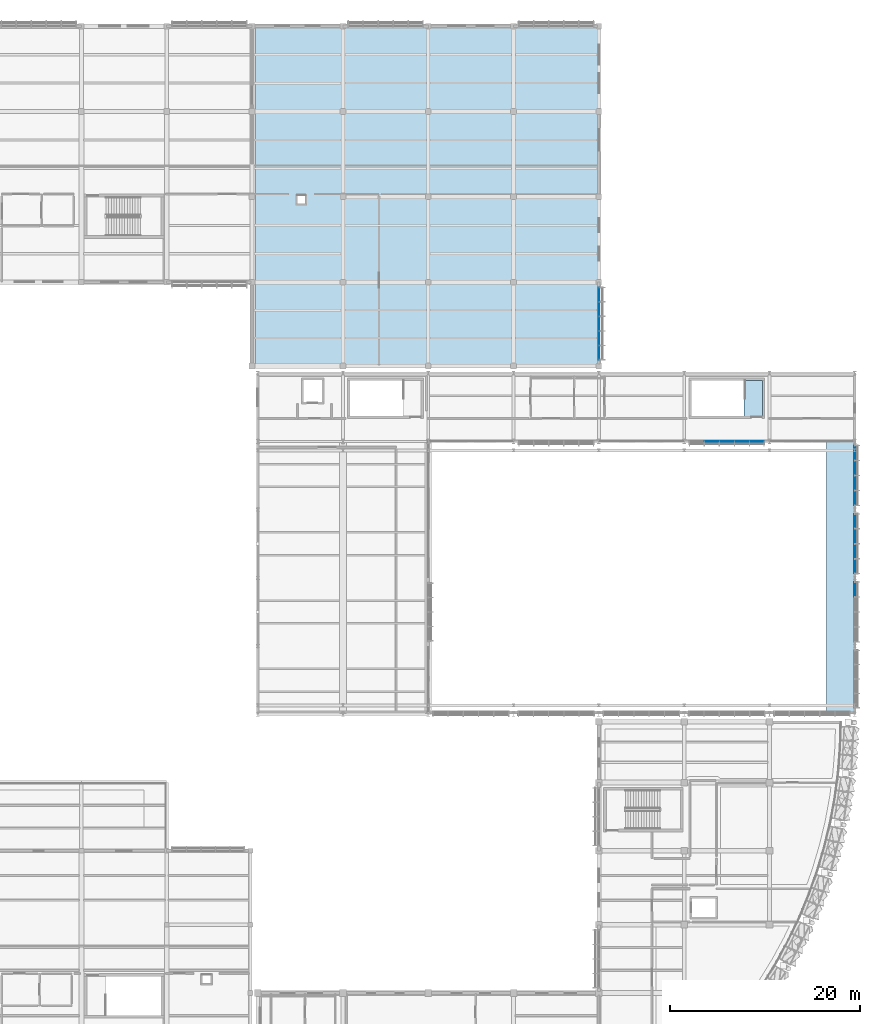
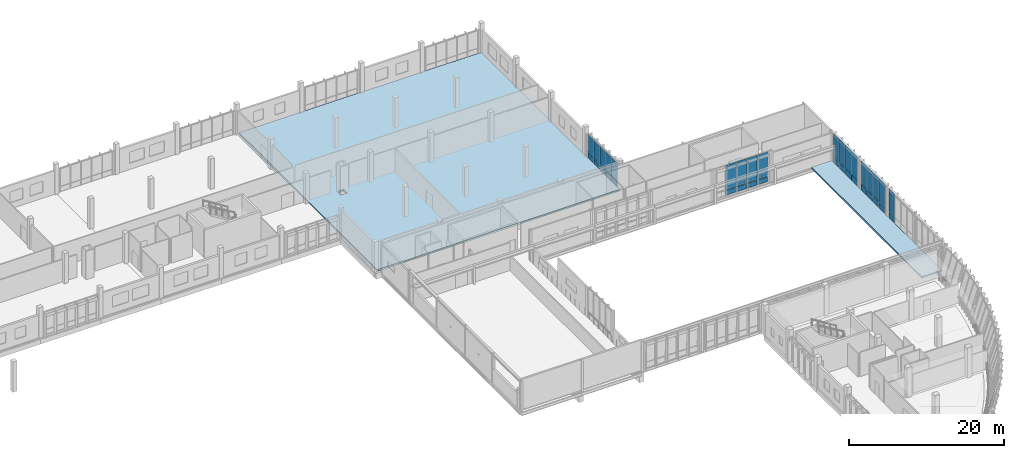
# One storey, part 142 of 177: 36 plates, 3 slabs, 5 elements without a shape of their own.
"""IFC4 building model written with IfcOpenShell, lengths in metres."""

import ifcopenshell
import ifcopenshell.guid

model = None  # the IFC model being written
_history = None  # IfcOwnerHistory: only IFC2X3 demands one
_inside = {}  # id of a spatial element -> (the spatial element, [elements in it])
_under = {}  # id of a project, library or spatial element -> (it, [spatial elements below it])
_declared = {}  # id of a project -> (the project, [libraries it declares])
_typed = {}  # id of a type object -> (the type object, [elements of that type])
_made_of = {}  # id of a material, layer set ... -> (it, [elements and type objects made of it])


def new_model(schema):
    """Start an empty IFC model of exactly this schema.

    Asked for "IFC4X3", IfcOpenShell would pick the latest addendum, in which some entities
    have other attributes; the version numbers below select the first issue.
    IFC2X3 requires an IfcOwnerHistory on every rooted entity: one is made here for all.
    """
    global model, _history
    if schema == "IFC4X3":
        model = ifcopenshell.file(schema_version=(4, 3, 0, 0))
    else:
        model = ifcopenshell.file(schema=schema)
    _inside.clear()
    _under.clear()
    _declared.clear()
    _typed.clear()
    _made_of.clear()
    _history = None
    if model.schema == "IFC2X3":
        org = make("IfcOrganization", Name="unknown")
        user = make(
            "IfcPersonAndOrganization",
            ThePerson=make("IfcPerson", FamilyName="unknown"),
            TheOrganization=org,
        )
        app = make(
            "IfcApplication",
            ApplicationDeveloper=org,
            Version="unknown",
            ApplicationFullName="unknown",
            ApplicationIdentifier="unknown",
        )
        _history = make(
            "IfcOwnerHistory",
            OwningUser=user,
            OwningApplication=app,
            ChangeAction="ADDED",
            CreationDate=0,
        )
    return model


def make(cls, **values):
    """One entity of the class cls with the attributes given. An attribute that is None is left unset."""
    return model.create_entity(
        cls, **{name: value for name, value in values.items() if value is not None}
    )


def rooted(cls, **values):
    """An entity with a GlobalId (a new one), such as an element, a storey or a relation."""
    return make(cls, GlobalId=ifcopenshell.guid.new(), OwnerHistory=_history, **values)


def si_unit(unit_type, name, prefix=None):
    """IfcSIUnit, for example si_unit("LENGTHUNIT", "METRE", prefix="MILLI")."""
    return make("IfcSIUnit", UnitType=unit_type, Prefix=prefix, Name=name)


def assignment(units):
    """IfcUnitAssignment: the units of a project."""
    return None if units is None else make("IfcUnitAssignment", Units=units)


def point(xyz):
    """IfcCartesianPoint."""
    return None if xyz is None else make("IfcCartesianPoint", Coordinates=xyz)


def direction(xyz):
    """IfcDirection."""
    return None if xyz is None else make("IfcDirection", DirectionRatios=xyz)


def frame(location, z_axis=None, x_axis=None):
    """IfcAxis2Placement3D, a coordinate frame: its origin and axes. An axis left out is left unset."""
    return make(
        "IfcAxis2Placement3D",
        Location=point(location),
        Axis=direction(z_axis),
        RefDirection=direction(x_axis),
    )


def frame_2d(location, x_axis=None):
    """IfcAxis2Placement2D, a coordinate frame in the plane: its origin and x axis."""
    return make(
        "IfcAxis2Placement2D", Location=point(location), RefDirection=direction(x_axis)
    )


def origin():
    """The frame at (0, 0, 0) with its axes left unset."""
    return frame((0.0, 0.0, 0.0))


def origin_2d():
    """The frame at (0, 0) in the plane with its x axis left unset."""
    return frame_2d((0.0, 0.0))


def place(relative_to, where):
    """IfcLocalPlacement: puts the frame where relative to a parent placement (None: the world)."""
    return make(
        "IfcLocalPlacement", PlacementRelTo=relative_to, RelativePlacement=where
    )


def context(
    kind, dimensions, precision=None, world=None, true_north=None, identifier=None
):
    """IfcGeometricRepresentationContext, for example the 3D "Model" context."""
    return make(
        "IfcGeometricRepresentationContext",
        ContextIdentifier=identifier,
        ContextType=kind,
        CoordinateSpaceDimension=dimensions,
        Precision=precision,
        WorldCoordinateSystem=world,
        TrueNorth=true_north,
    )


def subcontext(parent, identifier, kind, view, scale=None):
    """IfcGeometricRepresentationSubContext, for example "Body" below "Model"."""
    return make(
        "IfcGeometricRepresentationSubContext",
        ContextIdentifier=identifier,
        ContextType=kind,
        ParentContext=parent,
        TargetScale=scale,
        TargetView=view,
    )


def project(units=None, contexts=None):
    """IfcProject with its units and contexts."""
    return rooted(
        "IfcProject",
        Name="project",
        RepresentationContexts=contexts,
        UnitsInContext=assignment(units),
    )


def spatial(cls, under=None, at=None, **own):
    """A site, building, storey or space (cls), placed at a placement, below another one or the project."""
    s = rooted(cls, ObjectPlacement=at, **own)
    if under is not None:
        _under.setdefault(under.id(), (under, []))[1].append(s)
    return s


def polyline(points):
    """IfcPolyline through the points."""
    return make("IfcPolyline", Points=[point(p) for p in points])


def profile(cls, at=None, kind="AREA", **sizes):
    """A parametric profile (cls). Its sizes go by their IFC names, for example OverallWidth=200.0."""
    return make(cls, ProfileType=kind, Position=at, **sizes)


def rectangle(**sizes):
    """IfcRectangleProfileDef."""
    return profile("IfcRectangleProfileDef", **sizes)


def outline(outer, holes=None, kind="AREA"):
    """IfcArbitraryClosedProfileDef: a profile drawn as a closed curve; with holes, ...WithVoids."""
    if holes is None:
        return make("IfcArbitraryClosedProfileDef", ProfileType=kind, OuterCurve=outer)
    return make(
        "IfcArbitraryProfileDefWithVoids",
        ProfileType=kind,
        OuterCurve=outer,
        InnerCurves=holes,
    )


def extrude(swept, where, along, depth):
    """IfcExtrudedAreaSolid: the profile swept, set in the frame where, extruded along a direction by depth."""
    return make(
        "IfcExtrudedAreaSolid",
        SweptArea=swept,
        Position=where,
        ExtrudedDirection=direction(along),
        Depth=depth,
    )


def shape(context_of_items, identifier, shape_type, items):
    """IfcShapeRepresentation: the items that make up one representation, for example the "Body"."""
    return make(
        "IfcShapeRepresentation",
        ContextOfItems=context_of_items,
        RepresentationIdentifier=identifier,
        RepresentationType=shape_type,
        Items=items,
    )


def material(Name=None, Category=None):
    """IfcMaterial."""
    return make("IfcMaterial", Name=Name, Category=Category)


def layer(
    of_material, thickness, ventilated=None, Name=None, Category=None, Priority=None
):
    """IfcMaterialLayer: one layer of a wall or slab, of a material (None: an air gap)."""
    return make(
        "IfcMaterialLayer",
        Material=of_material,
        LayerThickness=thickness,
        IsVentilated=ventilated,
        Name=Name,
        Category=Category,
        Priority=Priority,
    )


def layer_set(layers, Name=None):
    """IfcMaterialLayerSet."""
    return make("IfcMaterialLayerSet", MaterialLayers=layers, LayerSetName=Name)


def made_of(thing, what):
    """Note that an element or type object is made of a material, layer set ...; save() writes the relation."""
    if what is not None:
        _made_of.setdefault(what.id(), (what, []))[1].append(thing)
    return thing


def type_object(cls, material=None, **own):
    """A type object (cls), such as IfcWallType, which elements share."""
    return made_of(rooted(cls, **own), material)


def element(
    cls,
    number,
    at=None,
    inside=None,
    cuts=None,
    type_object=None,
    material=None,
    context=None,
    identifier="Body",
    shape_type=None,
    held_by="IfcProductDefinitionShape",
    body=None,
    shapes=None,
    **own,
):
    """One element of the class cls, such as IfcWall. Its Tag is "e" and its number.

    at: its placement. inside: the storey or other place that contains it. cuts: it is an
    opening in that element (IfcRelVoidsElement). A single representation is given by context,
    identifier, shape_type and body (its items); several are given by shapes. held_by: the class
    of the entity that holds the representations. save() writes the other relations.
    """
    e = rooted(cls, Tag="e%d" % number, ObjectPlacement=at, **own)
    if body is not None:
        shapes = [shape(context, identifier, shape_type, body)]
    if shapes is not None:
        e.Representation = make(held_by, Representations=shapes)
    if inside is not None:
        _inside.setdefault(inside.id(), (inside, []))[1].append(e)
    if cuts is not None:
        rooted(
            "IfcRelVoidsElement", RelatingBuildingElement=cuts, RelatedOpeningElement=e
        )
    if type_object is not None:
        _typed.setdefault(type_object.id(), (type_object, []))[1].append(e)
    return made_of(e, material)


def aggregate(whole, parts):
    """IfcRelAggregates: a whole, such as a stair, and the parts it consists of."""
    return rooted("IfcRelAggregates", RelatingObject=whole, RelatedObjects=parts)


def save(model, path):
    """Write the relations noted so far, then the file.

    IfcRelAggregates (storeys below a building ...), IfcRelContainedInSpatialStructure (elements
    in a storey), IfcRelDefinesByType, IfcRelAssociatesMaterial and IfcRelDeclares: one each for
    every whole, place, type object, material and project.
    """
    for whole, parts in _under.values():
        aggregate(whole, parts)
    for where, things in _inside.values():
        rooted(
            "IfcRelContainedInSpatialStructure",
            RelatedElements=things,
            RelatingStructure=where,
        )
    for kind, things in _typed.values():
        rooted("IfcRelDefinesByType", RelatedObjects=things, RelatingType=kind)
    for what, things in _made_of.values():
        rooted("IfcRelAssociatesMaterial", RelatedObjects=things, RelatingMaterial=what)
    for by, libraries in _declared.values():
        rooted("IfcRelDeclares", RelatingContext=by, RelatedDefinitions=libraries)
    model.write(path)


model = new_model("IFC4")

# Units and contexts
model_context = context("Model", 3, precision=1e-05, world=origin(), true_north=direction((0.0, 1.0)))
body_context = subcontext(model_context, "Body", "Model", "MODEL_VIEW")
ifc_project = project(units=[si_unit("LENGTHUNIT", "METRE"), si_unit("AREAUNIT", "SQUARE_METRE"), si_unit("VOLUMEUNIT", "CUBIC_METRE"), si_unit("PLANEANGLEUNIT", "RADIAN"), si_unit("MASSUNIT", "GRAM", prefix="KILO")], contexts=[model_context])

# Site, building, storey
site_placement = place(None, origin())
site = spatial("IfcSite", under=ifc_project, at=site_placement, CompositionType="ELEMENT")
building_placement = place(site_placement, origin())
building = spatial("IfcBuilding", under=site, at=building_placement, Name="Chiffa Square Polytechnic", CompositionType="ELEMENT")
storey_placement = place(building_placement, frame((0.0, 0.0, 4.800048828125)))
storey = spatial("IfcBuildingStorey", under=building, at=storey_placement, Name="L01", CompositionType="ELEMENT", Elevation=4.800048828125)

# Curtain wall, plates
ifc_material_1 = material(Name="Aluminium EN AW-6060 T66 and glulam shading", Category="wood")
curtain_wall_type_1 = type_object("IfcCurtainWallType", Name="CW-VERT-360X380", PredefinedType="USERDEFINED", material=ifc_material_1)
curtain_wall_1_placement = place(storey_placement, origin())
curtain_wall_1 = element("IfcCurtainWall", 1, at=curtain_wall_1_placement, inside=storey, type_object=curtain_wall_type_1, Name="Curtain wall CW-V2-L01-149", ObjectType="CURTAIN WALL", PredefinedType="USERDEFINED")
ifc_material_2 = material(Name="Double glazing", Category="glass")
ifc_layer_1 = layer(ifc_material_2, 0.0458984375, Name="Double glazing")
ifc_layer_set_1 = layer_set([ifc_layer_1], Name="Double glazing")
plate_type_1 = type_object("IfcPlateType", Name="CWP-GLZ-128X106", PredefinedType="CURTAIN_PANEL", material=ifc_layer_set_1)
plate_1_placement = place(storey_placement, frame((160.115966796875, 87.0, 0.83984375), z_axis=(0.0, 0.0, 1.0), x_axis=(1.0, 0.0, 0.0)))
plate_1 = element("IfcPlate", 2, at=plate_1_placement, type_object=plate_type_1, Name="Glazed curtain panel CW-V2-L01-149-PN02", PredefinedType="CURTAIN_PANEL", context=body_context, shape_type="SweptSolid", body=[
    extrude(rectangle(XDim=1.531982421875, YDim=0.0458984375, at=origin_2d()), origin(), (0.0, 0.0, 1.0), 3.909912109375),
])
plate_2_placement = place(storey_placement, frame((161.699951171875, 87.0, 0.83984375), z_axis=(0.0, 0.0, 1.0), x_axis=(1.0, 0.0, 0.0)))
plate_2 = element("IfcPlate", 3, at=plate_2_placement, type_object=plate_type_1, Name="Glazed curtain panel CW-V2-L01-149-PN03", PredefinedType="CURTAIN_PANEL", context=body_context, shape_type="SweptSolid", body=[
    extrude(rectangle(XDim=1.531982421875, YDim=0.0458984375, at=origin_2d()), origin(), (0.0, 0.0, 1.0), 3.909912109375),
])
plate_3_placement = place(storey_placement, frame((163.283935546875, 87.0, 0.83984375), z_axis=(0.0, 0.0, 1.0), x_axis=(1.0, 0.0, 0.0)))
plate_3 = element("IfcPlate", 4, at=plate_3_placement, type_object=plate_type_1, Name="Glazed curtain panel CW-V2-L01-149-PN04", PredefinedType="CURTAIN_PANEL", context=body_context, shape_type="SweptSolid", body=[
    extrude(rectangle(XDim=1.531982421875, YDim=0.0458984375, at=origin_2d()), origin(), (0.0, 0.0, 1.0), 3.909912109375),
])
plate_4_placement = place(storey_placement, frame((164.85693359375, 87.0, 0.83984375), z_axis=(0.0, 0.0, 1.0), x_axis=(1.0, 0.0, 0.0)))
plate_4 = element("IfcPlate", 5, at=plate_4_placement, type_object=plate_type_1, Name="Glazed curtain panel CW-V2-L01-149-PN05", PredefinedType="CURTAIN_PANEL", context=body_context, shape_type="SweptSolid", body=[
    extrude(rectangle(XDim=1.510009765625, YDim=0.0458984375, at=origin_2d()), origin(), (0.0, 0.0, 1.0), 3.909912109375),
])

curtain_wall_type_2 = type_object("IfcCurtainWallType", Name="CW-VERT-450X380", PredefinedType="USERDEFINED", material=ifc_material_1)
curtain_wall_2_placement = place(storey_placement, origin())
curtain_wall_2 = element("IfcCurtainWall", 6, at=curtain_wall_2_placement, inside=storey, type_object=curtain_wall_type_2, Name="Curtain wall CW-V5-L01-202", ObjectType="CURTAIN WALL", PredefinedType="USERDEFINED")
ifc_layer_2 = layer(ifc_material_2, 0.0439453125, Name="Double glazing")
ifc_layer_set_2 = layer_set([ifc_layer_2], Name="Double glazing")
plate_type_2 = type_object("IfcPlateType", Name="CWP-GLZ-134X118", PredefinedType="CURTAIN_PANEL", material=ifc_layer_set_2)
plate_5_placement = place(storey_placement, frame((148.199951171875, 96.367919921875, 0.84033203125), z_axis=(0.0, 0.0, 1.0), x_axis=(0.0, 1.0, 0.0)))
plate_5 = element("IfcPlate", 7, at=plate_5_placement, type_object=plate_type_2, Name="Glazed curtain panel CW-V5-L01-202-PN01", PredefinedType="CURTAIN_PANEL", context=body_context, shape_type="SweptSolid", body=[
    extrude(rectangle(XDim=1.4599609375, YDim=0.0439453125, at=origin_2d()), origin(), (0.0, 0.0, 1.0), 2.925048828125),
])
plate_6_placement = place(storey_placement, frame((148.199951171875, 97.89111328125, 0.84033203125), z_axis=(0.0, 0.0, 1.0), x_axis=(0.0, 1.0, 0.0)))
plate_6 = element("IfcPlate", 8, at=plate_6_placement, type_object=plate_type_2, Name="Glazed curtain panel CW-V5-L01-202-PN02", PredefinedType="CURTAIN_PANEL", context=body_context, shape_type="SweptSolid", body=[
    extrude(rectangle(XDim=1.48193359375, YDim=0.0439453125, at=origin_2d()), origin(), (0.0, 0.0, 1.0), 2.925048828125),
])
plate_7_placement = place(storey_placement, frame((148.199951171875, 99.425048828125, 0.84033203125), z_axis=(0.0, 0.0, 1.0), x_axis=(0.0, 1.0, 0.0)))
plate_7 = element("IfcPlate", 9, at=plate_7_placement, type_object=plate_type_2, Name="Glazed curtain panel CW-V5-L01-202-PN03", PredefinedType="CURTAIN_PANEL", context=body_context, shape_type="SweptSolid", body=[
    extrude(rectangle(XDim=1.48193359375, YDim=0.0439453125, at=origin_2d()), origin(), (0.0, 0.0, 1.0), 2.925048828125),
])
plate_8_placement = place(storey_placement, frame((148.199951171875, 100.958984375, 0.84033203125), z_axis=(0.0, 0.0, 1.0), x_axis=(0.0, 1.0, 0.0)))
plate_8 = element("IfcPlate", 10, at=plate_8_placement, type_object=plate_type_2, Name="Glazed curtain panel CW-V5-L01-202-PN04", PredefinedType="CURTAIN_PANEL", context=body_context, shape_type="SweptSolid", body=[
    extrude(rectangle(XDim=1.48193359375, YDim=0.0439453125, at=origin_2d()), origin(), (0.0, 0.0, 1.0), 2.925048828125),
])
plate_9_placement = place(storey_placement, frame((148.199951171875, 102.48193359375, 0.84033203125), z_axis=(0.0, 0.0, 1.0), x_axis=(0.0, 1.0, 0.0)))
plate_9 = element("IfcPlate", 11, at=plate_9_placement, type_object=plate_type_2, Name="Glazed curtain panel CW-V5-L01-202-PN05", PredefinedType="CURTAIN_PANEL", context=body_context, shape_type="SweptSolid", body=[
    extrude(rectangle(XDim=1.4599609375, YDim=0.0439453125, at=origin_2d()), origin(), (0.0, 0.0, 1.0), 2.925048828125),
])

# Curtain wall, plate
curtain_wall_3_placement = place(storey_placement, origin())
curtain_wall_3 = element("IfcCurtainWall", 12, at=curtain_wall_3_placement, inside=storey, type_object=curtain_wall_type_2, Name="Curtain wall CW-V2-L01E-02", ObjectType="CURTAIN WALL", PredefinedType="USERDEFINED")
ifc_layer_3 = layer(ifc_material_2, 0.035888671875, Name="Double glazing")
ifc_layer_set_3 = layer_set([ifc_layer_3], Name="Double glazing")
plate_type_3 = type_object("IfcPlateType", Name="CWP-GLZ-150X145", PredefinedType="CURTAIN_PANEL", material=ifc_layer_set_3)
plate_10_placement = place(storey_placement, frame((175.199951171875, 71.3740234375, 0.9599609375), z_axis=(0.0, 0.0, 1.0), x_axis=(0.0, 1.0, 0.0)))
plate_10 = element("IfcPlate", 13, at=plate_10_placement, type_object=plate_type_3, Name="Glazed curtain panel CW-V2-L01E-02-PN04", PredefinedType="CURTAIN_PANEL", context=body_context, shape_type="SweptSolid", body=[
    extrude(rectangle(XDim=1.51611328125, YDim=0.035888671875, at=origin_2d()), origin(), (0.0, 0.0, 1.0), 3.7099609375),
])

# Curtain wall, plates
curtain_wall_type_3 = type_object("IfcCurtainWallType", Name="CW-VERT-300X380", PredefinedType="USERDEFINED", material=ifc_material_1)
curtain_wall_4_placement = place(storey_placement, origin())
curtain_wall_4 = element("IfcCurtainWall", 14, at=curtain_wall_4_placement, inside=storey, type_object=curtain_wall_type_3, Name="Curtain wall CW-V2-L01E-03", ObjectType="CURTAIN WALL", PredefinedType="USERDEFINED")
plate_11_placement = place(storey_placement, frame((175.199951171875, 73.825927734375, 0.9599609375), z_axis=(0.0, 0.0, 1.0), x_axis=(0.0, 1.0, 0.0)))
plate_11 = element("IfcPlate", 15, at=plate_11_placement, type_object=plate_type_3, Name="Glazed curtain panel CW-V2-L01E-03-PN01", PredefinedType="CURTAIN_PANEL", context=body_context, shape_type="SweptSolid", body=[
    extrude(rectangle(XDim=1.51611328125, YDim=0.035888671875, at=origin_2d()), origin(), (0.0, 0.0, 1.0), 3.7099609375),
])
plate_12_placement = place(storey_placement, frame((175.199951171875, 75.405029296875, 0.9599609375), z_axis=(0.0, 0.0, 1.0), x_axis=(0.0, 1.0, 0.0)))
plate_12 = element("IfcPlate", 16, at=plate_12_placement, type_object=plate_type_3, Name="Glazed curtain panel CW-V2-L01E-03-PN02", PredefinedType="CURTAIN_PANEL", context=body_context, shape_type="SweptSolid", body=[
    extrude(rectangle(XDim=1.5380859375, YDim=0.035888671875, at=origin_2d()), origin(), (0.0, 0.0, 1.0), 3.7099609375),
])
plate_13_placement = place(storey_placement, frame((175.199951171875, 76.9951171875, 0.9599609375), z_axis=(0.0, 0.0, 1.0), x_axis=(0.0, 1.0, 0.0)))
plate_13 = element("IfcPlate", 17, at=plate_13_placement, type_object=plate_type_3, Name="Glazed curtain panel CW-V2-L01E-03-PN03", PredefinedType="CURTAIN_PANEL", context=body_context, shape_type="SweptSolid", body=[
    extrude(rectangle(XDim=1.5380859375, YDim=0.035888671875, at=origin_2d()), origin(), (0.0, 0.0, 1.0), 3.7099609375),
])
plate_14_placement = place(storey_placement, frame((175.199951171875, 78.573974609375, 0.9599609375), z_axis=(0.0, 0.0, 1.0), x_axis=(0.0, 1.0, 0.0)))
plate_14 = element("IfcPlate", 18, at=plate_14_placement, type_object=plate_type_3, Name="Glazed curtain panel CW-V2-L01E-03-PN04", PredefinedType="CURTAIN_PANEL", context=body_context, shape_type="SweptSolid", body=[
    extrude(rectangle(XDim=1.51611328125, YDim=0.035888671875, at=origin_2d()), origin(), (0.0, 0.0, 1.0), 3.7099609375),
])

curtain_wall_type_4 = type_object("IfcCurtainWallType", Name="CW-VERT-600X380", PredefinedType="USERDEFINED", material=ifc_material_1)
curtain_wall_5_placement = place(storey_placement, origin())
curtain_wall_5 = element("IfcCurtainWall", 19, at=curtain_wall_5_placement, inside=storey, type_object=curtain_wall_type_4, Name="Curtain wall CW-V2-L01E-04", ObjectType="CURTAIN WALL", PredefinedType="USERDEFINED")
plate_15_placement = place(storey_placement, frame((175.199951171875, 81.02587890625, 0.9599609375), z_axis=(0.0, 0.0, 1.0), x_axis=(0.0, 1.0, 0.0)))
plate_15 = element("IfcPlate", 20, at=plate_15_placement, type_object=plate_type_3, Name="Glazed curtain panel CW-V2-L01E-04-PN01", PredefinedType="CURTAIN_PANEL", context=body_context, shape_type="SweptSolid", body=[
    extrude(rectangle(XDim=1.51611328125, YDim=0.035888671875, at=origin_2d()), origin(), (0.0, 0.0, 1.0), 3.7099609375),
])
plate_16_placement = place(storey_placement, frame((175.199951171875, 82.60498046875, 0.9599609375), z_axis=(0.0, 0.0, 1.0), x_axis=(0.0, 1.0, 0.0)))
plate_16 = element("IfcPlate", 21, at=plate_16_placement, type_object=plate_type_3, Name="Glazed curtain panel CW-V2-L01E-04-PN02", PredefinedType="CURTAIN_PANEL", context=body_context, shape_type="SweptSolid", body=[
    extrude(rectangle(XDim=1.5380859375, YDim=0.035888671875, at=origin_2d()), origin(), (0.0, 0.0, 1.0), 3.7099609375),
])
plate_17_placement = place(storey_placement, frame((175.199951171875, 84.195068359375, 0.9599609375), z_axis=(0.0, 0.0, 1.0), x_axis=(0.0, 1.0, 0.0)))
plate_17 = element("IfcPlate", 22, at=plate_17_placement, type_object=plate_type_3, Name="Glazed curtain panel CW-V2-L01E-04-PN03", PredefinedType="CURTAIN_PANEL", context=body_context, shape_type="SweptSolid", body=[
    extrude(rectangle(XDim=1.5380859375, YDim=0.035888671875, at=origin_2d()), origin(), (0.0, 0.0, 1.0), 3.7099609375),
])
plate_18_placement = place(storey_placement, frame((175.199951171875, 85.77392578125, 0.9599609375), z_axis=(0.0, 0.0, 1.0), x_axis=(0.0, 1.0, 0.0)))
plate_18 = element("IfcPlate", 23, at=plate_18_placement, type_object=plate_type_3, Name="Glazed curtain panel CW-V2-L01E-04-PN04", PredefinedType="CURTAIN_PANEL", context=body_context, shape_type="SweptSolid", body=[
    extrude(rectangle(XDim=1.51611328125, YDim=0.035888671875, at=origin_2d()), origin(), (0.0, 0.0, 1.0), 3.7099609375),
])

# Plate
ifc_material_3 = material(Name="Aluminium insulated spandrel", Category="aluminium")
ifc_layer_4 = layer(ifc_material_3, 0.072021484375, Name="Aluminium insulated spandrel")
ifc_layer_set_4 = layer_set([ifc_layer_4], Name="Aluminium insulated spandrel")
plate_type_4 = type_object("IfcPlateType", Name="CWP-SPN-136X072", PredefinedType="SHEET", material=ifc_layer_set_4)
plate_19_placement = place(storey_placement, frame((160.115966796875, 87.0, 0.050048828125), z_axis=(0.0, 0.0, 1.0), x_axis=(1.0, 0.0, 0.0)))
plate_19 = element("IfcPlate", 24, at=plate_19_placement, type_object=plate_type_4, Name="Spandrel panel CW-V2-L01-149-SP02", PredefinedType="SHEET", context=body_context, shape_type="SweptSolid", body=[
    extrude(rectangle(XDim=1.531982421875, YDim=0.072021484375, at=origin_2d()), origin(), (0.0, 0.0, 1.0), 0.75),
])

plate_20_placement = place(storey_placement, frame((161.699951171875, 87.0, 0.050048828125), z_axis=(0.0, 0.0, 1.0), x_axis=(1.0, 0.0, 0.0)))
plate_20 = element("IfcPlate", 25, at=plate_20_placement, type_object=plate_type_4, Name="Spandrel panel CW-V2-L01-149-SP03", PredefinedType="SHEET", context=body_context, shape_type="SweptSolid", body=[
    extrude(rectangle(XDim=1.531982421875, YDim=0.072021484375, at=origin_2d()), origin(), (0.0, 0.0, 1.0), 0.75),
])

plate_21_placement = place(storey_placement, frame((163.283935546875, 87.0, 0.050048828125), z_axis=(0.0, 0.0, 1.0), x_axis=(1.0, 0.0, 0.0)))
plate_21 = element("IfcPlate", 26, at=plate_21_placement, type_object=plate_type_4, Name="Spandrel panel CW-V2-L01-149-SP04", PredefinedType="SHEET", context=body_context, shape_type="SweptSolid", body=[
    extrude(rectangle(XDim=1.531982421875, YDim=0.072021484375, at=origin_2d()), origin(), (0.0, 0.0, 1.0), 0.75),
])

plate_22_placement = place(storey_placement, frame((164.85693359375, 87.0, 0.050048828125), z_axis=(0.0, 0.0, 1.0), x_axis=(1.0, 0.0, 0.0)))
plate_22 = element("IfcPlate", 27, at=plate_22_placement, type_object=plate_type_4, Name="Spandrel panel CW-V2-L01-149-SP05", PredefinedType="SHEET", context=body_context, shape_type="SweptSolid", body=[
    extrude(rectangle(XDim=1.510009765625, YDim=0.072021484375, at=origin_2d()), origin(), (0.0, 0.0, 1.0), 0.75),
])

aggregate(curtain_wall_1, [plate_19, plate_1, plate_20, plate_2, plate_21, plate_3, plate_22, plate_4])

ifc_layer_5 = layer(ifc_material_3, 0.06591796875, Name="Aluminium insulated spandrel")
ifc_layer_set_5 = layer_set([ifc_layer_5], Name="Aluminium insulated spandrel")
plate_type_5 = type_object("IfcPlateType", Name="CWP-SPN-144X078", PredefinedType="SHEET", material=ifc_layer_set_5)
plate_23_placement = place(storey_placement, frame((148.199951171875, 96.367919921875, 0.050048828125), z_axis=(0.0, 0.0, 1.0), x_axis=(0.0, 1.0, 0.0)))
plate_23 = element("IfcPlate", 28, at=plate_23_placement, type_object=plate_type_5, Name="Spandrel panel CW-V5-L01-202-SP01", PredefinedType="SHEET", context=body_context, shape_type="SweptSolid", body=[
    extrude(rectangle(XDim=1.4599609375, YDim=0.06591796875, at=origin_2d()), origin(), (0.0, 0.0, 1.0), 0.75),
])

plate_24_placement = place(storey_placement, frame((148.199951171875, 97.89111328125, 0.050048828125), z_axis=(0.0, 0.0, 1.0), x_axis=(0.0, 1.0, 0.0)))
plate_24 = element("IfcPlate", 29, at=plate_24_placement, type_object=plate_type_5, Name="Spandrel panel CW-V5-L01-202-SP02", PredefinedType="SHEET", context=body_context, shape_type="SweptSolid", body=[
    extrude(rectangle(XDim=1.48193359375, YDim=0.06591796875, at=origin_2d()), origin(), (0.0, 0.0, 1.0), 0.75),
])

plate_25_placement = place(storey_placement, frame((148.199951171875, 99.425048828125, 0.050048828125), z_axis=(0.0, 0.0, 1.0), x_axis=(0.0, 1.0, 0.0)))
plate_25 = element("IfcPlate", 30, at=plate_25_placement, type_object=plate_type_5, Name="Spandrel panel CW-V5-L01-202-SP03", PredefinedType="SHEET", context=body_context, shape_type="SweptSolid", body=[
    extrude(rectangle(XDim=1.48193359375, YDim=0.06591796875, at=origin_2d()), origin(), (0.0, 0.0, 1.0), 0.75),
])

plate_26_placement = place(storey_placement, frame((148.199951171875, 100.958984375, 0.050048828125), z_axis=(0.0, 0.0, 1.0), x_axis=(0.0, 1.0, 0.0)))
plate_26 = element("IfcPlate", 31, at=plate_26_placement, type_object=plate_type_5, Name="Spandrel panel CW-V5-L01-202-SP04", PredefinedType="SHEET", context=body_context, shape_type="SweptSolid", body=[
    extrude(rectangle(XDim=1.48193359375, YDim=0.06591796875, at=origin_2d()), origin(), (0.0, 0.0, 1.0), 0.75),
])

plate_27_placement = place(storey_placement, frame((148.199951171875, 102.48193359375, 0.050048828125), z_axis=(0.0, 0.0, 1.0), x_axis=(0.0, 1.0, 0.0)))
plate_27 = element("IfcPlate", 32, at=plate_27_placement, type_object=plate_type_5, Name="Spandrel panel CW-V5-L01-202-SP05", PredefinedType="SHEET", context=body_context, shape_type="SweptSolid", body=[
    extrude(rectangle(XDim=1.4599609375, YDim=0.06591796875, at=origin_2d()), origin(), (0.0, 0.0, 1.0), 0.75),
])

aggregate(curtain_wall_2, [plate_23, plate_5, plate_24, plate_6, plate_25, plate_7, plate_26, plate_8, plate_27, plate_9])

ifc_layer_6 = layer(ifc_material_3, 0.06005859375, Name="Aluminium insulated spandrel")
ifc_layer_set_6 = layer_set([ifc_layer_6], Name="Aluminium insulated spandrel")
plate_type_6 = type_object("IfcPlateType", Name="CWP-SPN-150X095", PredefinedType="SHEET", material=ifc_layer_set_6)
plate_28_placement = place(storey_placement, frame((175.199951171875, 71.3740234375, 0.08984375), z_axis=(0.0, 0.0, 1.0), x_axis=(0.0, 1.0, 0.0)))
plate_28 = element("IfcPlate", 33, at=plate_28_placement, type_object=plate_type_6, Name="Spandrel panel CW-V2-L01E-02-SP04", PredefinedType="SHEET", context=body_context, shape_type="SweptSolid", body=[
    extrude(rectangle(XDim=1.51611328125, YDim=0.06005859375, at=origin_2d()), origin(), (0.0, 0.0, 1.0), 0.830078125),
])

aggregate(curtain_wall_3, [plate_28, plate_10])

plate_29_placement = place(storey_placement, frame((175.199951171875, 73.825927734375, 0.08984375), z_axis=(0.0, 0.0, 1.0), x_axis=(0.0, 1.0, 0.0)))
plate_29 = element("IfcPlate", 34, at=plate_29_placement, type_object=plate_type_6, Name="Spandrel panel CW-V2-L01E-03-SP01", PredefinedType="SHEET", context=body_context, shape_type="SweptSolid", body=[
    extrude(rectangle(XDim=1.51611328125, YDim=0.06005859375, at=origin_2d()), origin(), (0.0, 0.0, 1.0), 0.830078125),
])

plate_30_placement = place(storey_placement, frame((175.199951171875, 75.405029296875, 0.08984375), z_axis=(0.0, 0.0, 1.0), x_axis=(0.0, 1.0, 0.0)))
plate_30 = element("IfcPlate", 35, at=plate_30_placement, type_object=plate_type_6, Name="Spandrel panel CW-V2-L01E-03-SP02", PredefinedType="SHEET", context=body_context, shape_type="SweptSolid", body=[
    extrude(rectangle(XDim=1.5380859375, YDim=0.06005859375, at=origin_2d()), origin(), (0.0, 0.0, 1.0), 0.830078125),
])

plate_31_placement = place(storey_placement, frame((175.199951171875, 76.9951171875, 0.08984375), z_axis=(0.0, 0.0, 1.0), x_axis=(0.0, 1.0, 0.0)))
plate_31 = element("IfcPlate", 36, at=plate_31_placement, type_object=plate_type_6, Name="Spandrel panel CW-V2-L01E-03-SP03", PredefinedType="SHEET", context=body_context, shape_type="SweptSolid", body=[
    extrude(rectangle(XDim=1.5380859375, YDim=0.06005859375, at=origin_2d()), origin(), (0.0, 0.0, 1.0), 0.830078125),
])

plate_32_placement = place(storey_placement, frame((175.199951171875, 78.573974609375, 0.08984375), z_axis=(0.0, 0.0, 1.0), x_axis=(0.0, 1.0, 0.0)))
plate_32 = element("IfcPlate", 37, at=plate_32_placement, type_object=plate_type_6, Name="Spandrel panel CW-V2-L01E-03-SP04", PredefinedType="SHEET", context=body_context, shape_type="SweptSolid", body=[
    extrude(rectangle(XDim=1.51611328125, YDim=0.06005859375, at=origin_2d()), origin(), (0.0, 0.0, 1.0), 0.830078125),
])

aggregate(curtain_wall_4, [plate_29, plate_11, plate_30, plate_12, plate_31, plate_13, plate_32, plate_14])

plate_33_placement = place(storey_placement, frame((175.199951171875, 81.02587890625, 0.08984375), z_axis=(0.0, 0.0, 1.0), x_axis=(0.0, 1.0, 0.0)))
plate_33 = element("IfcPlate", 38, at=plate_33_placement, type_object=plate_type_6, Name="Spandrel panel CW-V2-L01E-04-SP01", PredefinedType="SHEET", context=body_context, shape_type="SweptSolid", body=[
    extrude(rectangle(XDim=1.51611328125, YDim=0.06005859375, at=origin_2d()), origin(), (0.0, 0.0, 1.0), 0.830078125),
])

plate_34_placement = place(storey_placement, frame((175.199951171875, 82.60498046875, 0.08984375), z_axis=(0.0, 0.0, 1.0), x_axis=(0.0, 1.0, 0.0)))
plate_34 = element("IfcPlate", 39, at=plate_34_placement, type_object=plate_type_6, Name="Spandrel panel CW-V2-L01E-04-SP02", PredefinedType="SHEET", context=body_context, shape_type="SweptSolid", body=[
    extrude(rectangle(XDim=1.5380859375, YDim=0.06005859375, at=origin_2d()), origin(), (0.0, 0.0, 1.0), 0.830078125),
])

plate_35_placement = place(storey_placement, frame((175.199951171875, 84.195068359375, 0.08984375), z_axis=(0.0, 0.0, 1.0), x_axis=(0.0, 1.0, 0.0)))
plate_35 = element("IfcPlate", 40, at=plate_35_placement, type_object=plate_type_6, Name="Spandrel panel CW-V2-L01E-04-SP03", PredefinedType="SHEET", context=body_context, shape_type="SweptSolid", body=[
    extrude(rectangle(XDim=1.5380859375, YDim=0.06005859375, at=origin_2d()), origin(), (0.0, 0.0, 1.0), 0.830078125),
])

plate_36_placement = place(storey_placement, frame((175.199951171875, 85.77392578125, 0.08984375), z_axis=(0.0, 0.0, 1.0), x_axis=(0.0, 1.0, 0.0)))
plate_36 = element("IfcPlate", 41, at=plate_36_placement, type_object=plate_type_6, Name="Spandrel panel CW-V2-L01E-04-SP04", PredefinedType="SHEET", context=body_context, shape_type="SweptSolid", body=[
    extrude(rectangle(XDim=1.51611328125, YDim=0.06005859375, at=origin_2d()), origin(), (0.0, 0.0, 1.0), 0.830078125),
])

aggregate(curtain_wall_5, [plate_33, plate_15, plate_34, plate_16, plate_35, plate_17, plate_36, plate_18])

# Slabs
ifc_material_4 = material(Name="Concrete C35/45", Category="concrete")
ifc_layer_7 = layer(ifc_material_4, 0.280029296875, Name="Concrete C35/45")
ifc_layer_set_7 = layer_set([ifc_layer_7], Name="Concrete C35/45")
slab_type_1 = type_object("IfcSlabType", Name="SLB-FLR-280", PredefinedType="FLOOR", material=ifc_layer_set_7)
slab_1_placement = place(storey_placement, frame((0.0, 0.0, -0.280029296875)))
element("IfcSlab", 42, at=slab_1_placement, inside=storey, type_object=slab_type_1, Name="V5 L01 structural slab SLB-V5-L01-032", PredefinedType="FLOOR", context=body_context, shape_type="SweptSolid", body=[
    extrude(outline(polyline([(148.199951171875, 130.800048828125), (148.199951171875, 95.050048828125), (111.949951171875, 95.050048828125), (111.949951171875, 130.800048828125), (148.199951171875, 130.800048828125)]), holes=[polyline([(116.35009765625, 112.89990234375), (117.25, 112.89990234375), (117.25, 112.050048828125), (116.35009765625, 112.050048828125), (116.35009765625, 112.89990234375)])]), origin(), (0.0, 0.0, 1.0), 0.280029296875),
])
slab_2_placement = place(storey_placement, frame((0.0, 0.0, -0.280029296875)))
element("IfcSlab", 43, at=slab_2_placement, inside=storey, type_object=slab_type_1, Name="Workshop east delivery colonnade soffit slab SLB-V2-SOFFIT-L01E", PredefinedType="FLOOR", context=body_context, shape_type="SweptSolid", body=[
    extrude(outline(polyline([(172.199951171875, 58.449951171875), (175.199951171875, 58.449951171875), (175.199951171875, 87.0), (172.199951171875, 87.0), (172.199951171875, 58.449951171875)])), origin(), (0.0, 0.0, 1.0), 0.280029296875),
])
ifc_material_5 = material(Name="Concrete C40/50", Category="concrete")
ifc_layer_8 = layer(ifc_material_5, 0.35009765625, Name="Concrete C40/50")
ifc_layer_set_8 = layer_set([ifc_layer_8], Name="Concrete C40/50")
slab_type_2 = type_object("IfcSlabType", Name="SLB-FLR-350", PredefinedType="FLOOR", material=ifc_layer_set_8)
slab_3_placement = place(storey_placement, frame((0.0, 0.0, -0.35009765625)))
element("IfcSlab", 44, at=slab_3_placement, inside=storey, type_object=slab_type_2, Name="Stair core floor landing slab SLB-CORE-CORE-V2B-L01", PredefinedType="FLOOR", context=body_context, shape_type="SweptSolid", body=[
    extrude(outline(polyline([(165.449951171875, 93.449951171875), (163.5380859375, 93.449951171875), (163.5380859375, 89.64990234375), (165.449951171875, 89.64990234375), (165.449951171875, 93.449951171875)])), origin(), (0.0, 0.0, 1.0), 0.35009765625),
])

save(model, "model.ifc")
